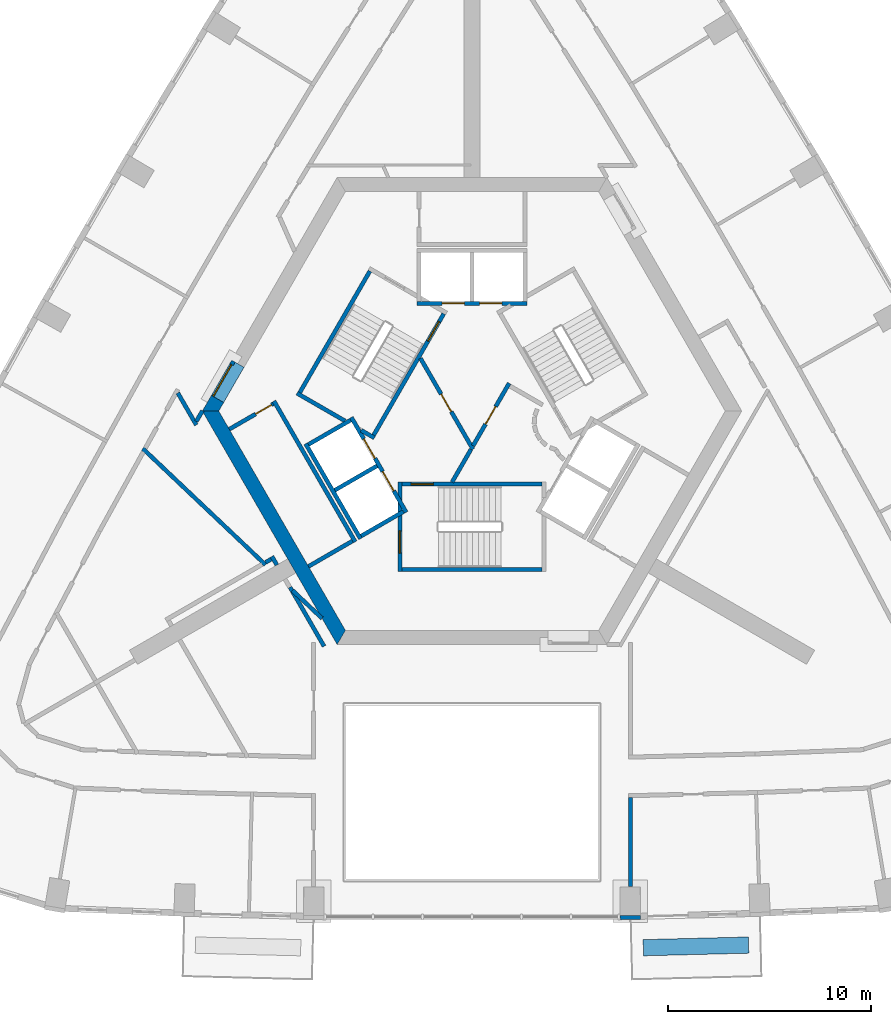
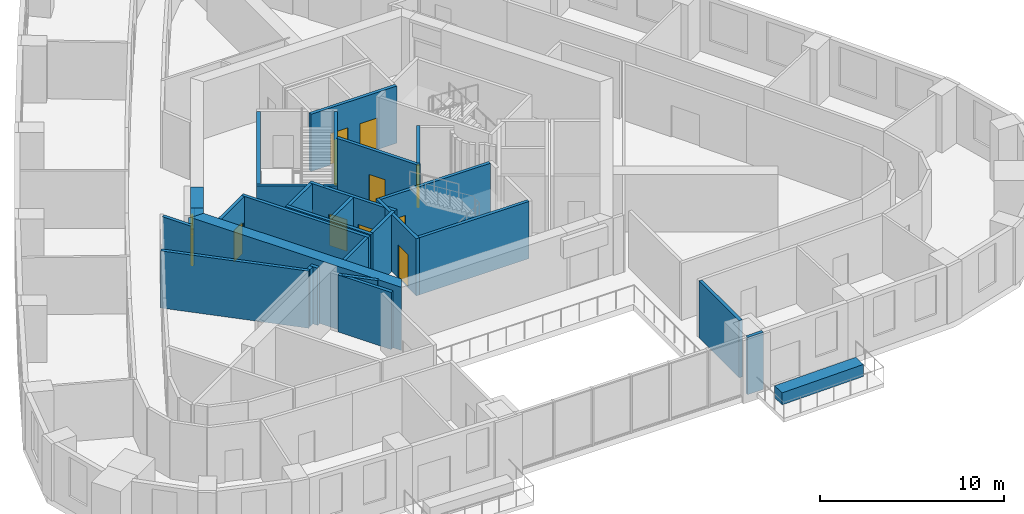
# One storey, part 5 of 11: 33 walls, 11 doors, 11 openings.
"""IFC4 building model written with IfcOpenShell, lengths in metres."""

import ifcopenshell
import ifcopenshell.guid

model = None  # the IFC model being written
_history = None  # IfcOwnerHistory: only IFC2X3 demands one
_inside = {}  # id of a spatial element -> (the spatial element, [elements in it])
_under = {}  # id of a project, library or spatial element -> (it, [spatial elements below it])
_declared = {}  # id of a project -> (the project, [libraries it declares])
_typed = {}  # id of a type object -> (the type object, [elements of that type])
_made_of = {}  # id of a material, layer set ... -> (it, [elements and type objects made of it])


def new_model(schema):
    """Start an empty IFC model of exactly this schema.

    Asked for "IFC4X3", IfcOpenShell would pick the latest addendum, in which some entities
    have other attributes; the version numbers below select the first issue.
    IFC2X3 requires an IfcOwnerHistory on every rooted entity: one is made here for all.
    """
    global model, _history
    if schema == "IFC4X3":
        model = ifcopenshell.file(schema_version=(4, 3, 0, 0))
    else:
        model = ifcopenshell.file(schema=schema)
    _inside.clear()
    _under.clear()
    _declared.clear()
    _typed.clear()
    _made_of.clear()
    _history = None
    if model.schema == "IFC2X3":
        org = make("IfcOrganization", Name="unknown")
        user = make(
            "IfcPersonAndOrganization",
            ThePerson=make("IfcPerson", FamilyName="unknown"),
            TheOrganization=org,
        )
        app = make(
            "IfcApplication",
            ApplicationDeveloper=org,
            Version="unknown",
            ApplicationFullName="unknown",
            ApplicationIdentifier="unknown",
        )
        _history = make(
            "IfcOwnerHistory",
            OwningUser=user,
            OwningApplication=app,
            ChangeAction="ADDED",
            CreationDate=0,
        )
    return model


def make(cls, **values):
    """One entity of the class cls with the attributes given. An attribute that is None is left unset."""
    return model.create_entity(
        cls, **{name: value for name, value in values.items() if value is not None}
    )


def rooted(cls, **values):
    """An entity with a GlobalId (a new one), such as an element, a storey or a relation."""
    return make(cls, GlobalId=ifcopenshell.guid.new(), OwnerHistory=_history, **values)


def si_unit(unit_type, name, prefix=None):
    """IfcSIUnit, for example si_unit("LENGTHUNIT", "METRE", prefix="MILLI")."""
    return make("IfcSIUnit", UnitType=unit_type, Prefix=prefix, Name=name)


def assignment(units):
    """IfcUnitAssignment: the units of a project."""
    return None if units is None else make("IfcUnitAssignment", Units=units)


def point(xyz):
    """IfcCartesianPoint."""
    return None if xyz is None else make("IfcCartesianPoint", Coordinates=xyz)


def direction(xyz):
    """IfcDirection."""
    return None if xyz is None else make("IfcDirection", DirectionRatios=xyz)


def frame(location, z_axis=None, x_axis=None):
    """IfcAxis2Placement3D, a coordinate frame: its origin and axes. An axis left out is left unset."""
    return make(
        "IfcAxis2Placement3D",
        Location=point(location),
        Axis=direction(z_axis),
        RefDirection=direction(x_axis),
    )


def frame_2d(location, x_axis=None):
    """IfcAxis2Placement2D, a coordinate frame in the plane: its origin and x axis."""
    return make(
        "IfcAxis2Placement2D", Location=point(location), RefDirection=direction(x_axis)
    )


def origin():
    """The frame at (0, 0, 0) with its axes left unset."""
    return frame((0.0, 0.0, 0.0))


def place(relative_to, where):
    """IfcLocalPlacement: puts the frame where relative to a parent placement (None: the world)."""
    return make(
        "IfcLocalPlacement", PlacementRelTo=relative_to, RelativePlacement=where
    )


def context(
    kind, dimensions, precision=None, world=None, true_north=None, identifier=None
):
    """IfcGeometricRepresentationContext, for example the 3D "Model" context."""
    return make(
        "IfcGeometricRepresentationContext",
        ContextIdentifier=identifier,
        ContextType=kind,
        CoordinateSpaceDimension=dimensions,
        Precision=precision,
        WorldCoordinateSystem=world,
        TrueNorth=true_north,
    )


def subcontext(parent, identifier, kind, view, scale=None):
    """IfcGeometricRepresentationSubContext, for example "Body" below "Model"."""
    return make(
        "IfcGeometricRepresentationSubContext",
        ContextIdentifier=identifier,
        ContextType=kind,
        ParentContext=parent,
        TargetScale=scale,
        TargetView=view,
    )


def project(units=None, contexts=None):
    """IfcProject with its units and contexts."""
    return rooted(
        "IfcProject",
        Name="project",
        RepresentationContexts=contexts,
        UnitsInContext=assignment(units),
    )


def spatial(cls, under=None, at=None, **own):
    """A site, building, storey or space (cls), placed at a placement, below another one or the project."""
    s = rooted(cls, ObjectPlacement=at, **own)
    if under is not None:
        _under.setdefault(under.id(), (under, []))[1].append(s)
    return s


def polyline(points):
    """IfcPolyline through the points."""
    return make("IfcPolyline", Points=[point(p) for p in points])


def profile(cls, at=None, kind="AREA", **sizes):
    """A parametric profile (cls). Its sizes go by their IFC names, for example OverallWidth=200.0."""
    return make(cls, ProfileType=kind, Position=at, **sizes)


def rectangle(**sizes):
    """IfcRectangleProfileDef."""
    return profile("IfcRectangleProfileDef", **sizes)


def outline(outer, holes=None, kind="AREA"):
    """IfcArbitraryClosedProfileDef: a profile drawn as a closed curve; with holes, ...WithVoids."""
    if holes is None:
        return make("IfcArbitraryClosedProfileDef", ProfileType=kind, OuterCurve=outer)
    return make(
        "IfcArbitraryProfileDefWithVoids",
        ProfileType=kind,
        OuterCurve=outer,
        InnerCurves=holes,
    )


def extrude(swept, where, along, depth):
    """IfcExtrudedAreaSolid: the profile swept, set in the frame where, extruded along a direction by depth."""
    return make(
        "IfcExtrudedAreaSolid",
        SweptArea=swept,
        Position=where,
        ExtrudedDirection=direction(along),
        Depth=depth,
    )


def shape(context_of_items, identifier, shape_type, items):
    """IfcShapeRepresentation: the items that make up one representation, for example the "Body"."""
    return make(
        "IfcShapeRepresentation",
        ContextOfItems=context_of_items,
        RepresentationIdentifier=identifier,
        RepresentationType=shape_type,
        Items=items,
    )


def material(Name=None, Category=None):
    """IfcMaterial."""
    return make("IfcMaterial", Name=Name, Category=Category)


def layer(
    of_material, thickness, ventilated=None, Name=None, Category=None, Priority=None
):
    """IfcMaterialLayer: one layer of a wall or slab, of a material (None: an air gap)."""
    return make(
        "IfcMaterialLayer",
        Material=of_material,
        LayerThickness=thickness,
        IsVentilated=ventilated,
        Name=Name,
        Category=Category,
        Priority=Priority,
    )


def layer_set(layers, Name=None):
    """IfcMaterialLayerSet."""
    return make("IfcMaterialLayerSet", MaterialLayers=layers, LayerSetName=Name)


def made_of(thing, what):
    """Note that an element or type object is made of a material, layer set ...; save() writes the relation."""
    if what is not None:
        _made_of.setdefault(what.id(), (what, []))[1].append(thing)
    return thing


def type_object(cls, material=None, **own):
    """A type object (cls), such as IfcWallType, which elements share."""
    return made_of(rooted(cls, **own), material)


def element(
    cls,
    number,
    at=None,
    inside=None,
    cuts=None,
    type_object=None,
    material=None,
    context=None,
    identifier="Body",
    shape_type=None,
    held_by="IfcProductDefinitionShape",
    body=None,
    shapes=None,
    **own,
):
    """One element of the class cls, such as IfcWall. Its Tag is "e" and its number.

    at: its placement. inside: the storey or other place that contains it. cuts: it is an
    opening in that element (IfcRelVoidsElement). A single representation is given by context,
    identifier, shape_type and body (its items); several are given by shapes. held_by: the class
    of the entity that holds the representations. save() writes the other relations.
    """
    e = rooted(cls, Tag="e%d" % number, ObjectPlacement=at, **own)
    if body is not None:
        shapes = [shape(context, identifier, shape_type, body)]
    if shapes is not None:
        e.Representation = make(held_by, Representations=shapes)
    if inside is not None:
        _inside.setdefault(inside.id(), (inside, []))[1].append(e)
    if cuts is not None:
        rooted(
            "IfcRelVoidsElement", RelatingBuildingElement=cuts, RelatedOpeningElement=e
        )
    if type_object is not None:
        _typed.setdefault(type_object.id(), (type_object, []))[1].append(e)
    return made_of(e, material)


def fill(opening, filler):
    """IfcRelFillsElement: the door or window that sits in an opening."""
    return rooted(
        "IfcRelFillsElement",
        RelatingOpeningElement=opening,
        RelatedBuildingElement=filler,
    )


def aggregate(whole, parts):
    """IfcRelAggregates: a whole, such as a stair, and the parts it consists of."""
    return rooted("IfcRelAggregates", RelatingObject=whole, RelatedObjects=parts)


def save(model, path):
    """Write the relations noted so far, then the file.

    IfcRelAggregates (storeys below a building ...), IfcRelContainedInSpatialStructure (elements
    in a storey), IfcRelDefinesByType, IfcRelAssociatesMaterial and IfcRelDeclares: one each for
    every whole, place, type object, material and project.
    """
    for whole, parts in _under.values():
        aggregate(whole, parts)
    for where, things in _inside.values():
        rooted(
            "IfcRelContainedInSpatialStructure",
            RelatedElements=things,
            RelatingStructure=where,
        )
    for kind, things in _typed.values():
        rooted("IfcRelDefinesByType", RelatedObjects=things, RelatingType=kind)
    for what, things in _made_of.values():
        rooted("IfcRelAssociatesMaterial", RelatedObjects=things, RelatingMaterial=what)
    for by, libraries in _declared.values():
        rooted("IfcRelDeclares", RelatingContext=by, RelatedDefinitions=libraries)
    model.write(path)


model = new_model("IFC4")

# Units and contexts
model_context = context("Model", 3, precision=1e-05, world=origin(), true_north=direction((0.0, 1.0)))
body_context = subcontext(model_context, "Body", "Model", "MODEL_VIEW")
ifc_project = project(units=[si_unit("LENGTHUNIT", "METRE"), si_unit("AREAUNIT", "SQUARE_METRE"), si_unit("VOLUMEUNIT", "CUBIC_METRE"), si_unit("PLANEANGLEUNIT", "RADIAN"), si_unit("MASSUNIT", "GRAM", prefix="KILO")], contexts=[model_context])

# Site, building, storey
site_placement = place(None, origin())
site = spatial("IfcSite", under=ifc_project, at=site_placement, CompositionType="ELEMENT")
building_placement = place(site_placement, origin())
building = spatial("IfcBuilding", under=site, at=building_placement, Name="Entoto Arch Interchange Tower", CompositionType="ELEMENT")
storey_placement = place(building_placement, frame((0.0, 0.0, 206.60009765625)))
storey = spatial("IfcBuildingStorey", under=building, at=storey_placement, Name="L46", CompositionType="ELEMENT", Elevation=206.60009765625)

# Wall, opening, door
ifc_material_1 = material(Name="Reinforced concrete C40/50", Category="concrete")
ifc_layer_1 = layer(ifc_material_1, 0.199951171875)
ifc_layer_set_1 = layer_set([ifc_layer_1], Name="Reinforced concrete C40/50")
wall_type_1 = type_object("IfcWallType", Name="CORE GAP INFILL WALL", PredefinedType="PARTITIONING", material=ifc_layer_set_1)
wall_1_placement = place(storey_placement, frame((-11.7470703125, 4.951904296875, 0.0), z_axis=(0.0, 0.0, 1.0), x_axis=(-0.50002537861, -0.866010750942, 0.0)))
wall_1 = element("IfcWall", 1, at=wall_1_placement, inside=storey, type_object=wall_type_1, Name="wall:L46:gap3", PredefinedType="PARTITIONING", context=body_context, shape_type="SweptSolid", body=[
    extrude(rectangle(XDim=2.0, YDim=0.199951171875, at=frame_2d((1.0, 0.0))), origin(), (0.0, 0.0, 1.0), 2.39990234375),
])
opening_1_placement = place(wall_1_placement, frame((0.18994140625, 0.0, 0.0)))
opening_1 = element("IfcOpeningElement", 2, at=opening_1_placement, cuts=wall_1, Name="Opening L46-D93", PredefinedType="OPENING", context=body_context, shape_type="SweptSolid", body=[
    extrude(rectangle(XDim=1.800048828125, YDim=2.10009765625, at=frame_2d((0.89990234375, 1.050048828125))), frame((0.0, 0.10986328125, 0.0), z_axis=(0.0, -1.0, 0.0), x_axis=(1.0, 0.0, 0.0)), (0.0, 0.0, 1.0), 0.219970703125),
])
ifc_material_2 = material(Name="Fire-rated Steel S235 door and frame", Category="steel")
door_type_1 = type_object("IfcDoorType", Name="DOOR FD-18 1800x2100", OperationType="DOUBLE_DOOR_SINGLE_SWING", PredefinedType="DOOR", material=ifc_material_2)
door_1_placement = place(opening_1_placement, origin())
door_1 = element("IfcDoor", 3, at=door_1_placement, inside=storey, type_object=door_type_1, Name="door:L46:gap3", OperationType="DOUBLE_DOOR_SINGLE_SWING", OverallHeight=2.10009765625, OverallWidth=1.800048828125, PredefinedType="DOOR", context=body_context, shape_type="SweptSolid", body=[
    extrude(rectangle(XDim=1.800048828125, YDim=2.10009765625, at=frame_2d((0.89990234375, 1.050048828125))), frame((0.0, 0.02490234375, 0.0), z_axis=(0.0, -1.0, 0.0), x_axis=(1.0, 0.0, 0.0)), (0.0, 0.0, 1.0), 0.050048828125),
])
fill(opening_1, door_1)

# Walls
ifc_material_3 = material(Name="Concrete C50/60", Category="concrete")
ifc_layer_2 = layer(ifc_material_3, 0.699951171875)
ifc_layer_set_2 = layer_set([ifc_layer_2], Name="Concrete C50/60")
wall_type_2 = type_object("IfcWallType", Name="Core wall 700 C50/60", PredefinedType="SHEAR", material=ifc_layer_set_2)
wall_2_placement = place(storey_placement, frame((0.0, 0.0, -0.400146484375)))
element("IfcWall", 4, at=wall_2_placement, inside=storey, type_object=wall_type_2, Name="Core wall NW L46", PredefinedType="SHEAR", context=body_context, shape_type="SweptSolid", body=[
    extrude(outline(polyline([(-12.22802734375, 2.919921875), (-12.833984375, 3.27001953125), (-13.279052734375, 2.5), (-12.470947265625, 2.5), (-12.22802734375, 2.919921875)])), origin(), (0.0, 0.0, 1.0), 4.199951171875),
])
wall_3_placement = place(storey_placement, frame((0.0, 0.0, 3.599853515625)))
element("IfcWall", 5, at=wall_3_placement, inside=storey, type_object=wall_type_2, Name="Core wall lintel NW L46", PredefinedType="SHEAR", context=body_context, shape_type="SweptSolid", body=[
    extrude(outline(polyline([(-12.833984375, 3.27001953125), (-12.22802734375, 2.919921875), (-11.22802734375, 4.652099609375), (-11.833984375, 5.001953125), (-12.833984375, 3.27001953125)])), origin(), (0.0, 0.0, 1.0), 0.199951171875),
])
wall_4_placement = place(storey_placement, frame((0.0, 0.0, -0.400146484375)))
element("IfcWall", 6, at=wall_4_placement, inside=storey, type_object=wall_type_2, Name="Core wall SW L46", PredefinedType="SHEAR", context=body_context, shape_type="SweptSolid", body=[
    extrude(outline(polyline([(-13.279052734375, 2.5), (-6.639892578125, -9.0), (-6.235107421875, -8.300048828125), (-12.470947265625, 2.5), (-13.279052734375, 2.5)])), origin(), (0.0, 0.0, 1.0), 4.199951171875),
])

# Wall, openings, doors
ifc_material_4 = material(Name="Concrete C40/50", Category="concrete")
ifc_layer_3 = layer(ifc_material_4, 0.199951171875)
ifc_layer_set_3 = layer_set([ifc_layer_3], Name="Concrete C40/50")
wall_type_3 = type_object("IfcWallType", Name="LIFT SHAFT WALL 200", PredefinedType="STANDARD", material=ifc_layer_set_3)
wall_5_placement = place(storey_placement, frame((2.699951171875, 7.800048828125, 0.0), z_axis=(0.0, 0.0, 1.0), x_axis=(-1.0, 0.0, 0.0)))
wall_5 = element("IfcWall", 7, at=wall_5_placement, inside=storey, type_object=wall_type_3, Name="Shaft wall N1 front", PredefinedType="STANDARD", context=body_context, shape_type="SweptSolid", body=[
    extrude(rectangle(XDim=5.39990234375, YDim=0.199951171875, at=frame_2d((2.699951171875, 0.0))), origin(), (0.0, 0.0, 1.0), 3.7998046875),
])
opening_2_placement = place(wall_5_placement, frame((1.22509765625, 0.0, 0.0)))
opening_2 = element("IfcOpeningElement", 8, at=opening_2_placement, cuts=wall_5, Name="Opening LD-HR1-L46", PredefinedType="OPENING", context=body_context, shape_type="SweptSolid", body=[
    extrude(rectangle(XDim=1.10009765625, YDim=2.10009765625, at=frame_2d((0.550048828125, 1.050048828125))), frame((0.0, 0.10986328125, 0.0), z_axis=(0.0, -1.0, 0.0), x_axis=(1.0, 0.0, 0.0)), (0.0, 0.0, 1.0), 0.219970703125),
])
opening_3_placement = place(wall_5_placement, frame((3.074951171875, 0.0, 0.0)))
opening_3 = element("IfcOpeningElement", 9, at=opening_3_placement, cuts=wall_5, Name="Opening LD-HR2-L46", PredefinedType="OPENING", context=body_context, shape_type="SweptSolid", body=[
    extrude(rectangle(XDim=1.10009765625, YDim=2.10009765625, at=frame_2d((0.550048828125, 1.050048828125))), frame((0.0, 0.10986328125, 0.0), z_axis=(0.0, -1.0, 0.0), x_axis=(1.0, 0.0, 0.0)), (0.0, 0.0, 1.0), 0.219970703125),
])
ifc_material_5 = material(Name="Stainless steel 1.4301 panels", Category="steel")
door_type_2 = type_object("IfcDoorType", Name="LIFT LANDING DOOR LD1 1100x2100", OperationType="SLIDING_TO_LEFT", PredefinedType="DOOR", material=ifc_material_5)
door_2_placement = place(opening_2_placement, origin())
door_2 = element("IfcDoor", 10, at=door_2_placement, inside=storey, type_object=door_type_2, Name="Lift landing door HR1 L46", OperationType="SLIDING_TO_LEFT", OverallHeight=2.10009765625, OverallWidth=1.10009765625, PredefinedType="DOOR", context=body_context, shape_type="SweptSolid", body=[
    extrude(rectangle(XDim=1.10009765625, YDim=2.10009765625, at=frame_2d((0.550048828125, 1.050048828125))), frame((0.0, 0.02490234375, 0.0), z_axis=(0.0, -1.0, 0.0), x_axis=(1.0, 0.0, 0.0)), (0.0, 0.0, 1.0), 0.050048828125),
])
fill(opening_2, door_2)
door_3_placement = place(opening_3_placement, origin())
door_3 = element("IfcDoor", 11, at=door_3_placement, inside=storey, type_object=door_type_2, Name="Lift landing door HR2 L46", OperationType="SLIDING_TO_LEFT", OverallHeight=2.10009765625, OverallWidth=1.10009765625, PredefinedType="DOOR", context=body_context, shape_type="SweptSolid", body=[
    extrude(rectangle(XDim=1.10009765625, YDim=2.10009765625, at=frame_2d((0.550048828125, 1.050048828125))), frame((0.0, 0.02490234375, 0.0), z_axis=(0.0, -1.0, 0.0), x_axis=(1.0, 0.0, 0.0)), (0.0, 0.0, 1.0), 0.050048828125),
])
fill(opening_3, door_3)

wall_6_placement = place(storey_placement, frame((-5.93994140625, 2.18798828125, 0.0), z_axis=(0.0, 0.0, 1.0), x_axis=(0.500034260056, -0.866005622828, 0.0)))
wall_6 = element("IfcWall", 12, at=wall_6_placement, inside=storey, type_object=wall_type_3, Name="Shaft wall SW1 front", PredefinedType="STANDARD", context=body_context, shape_type="SweptSolid", body=[
    extrude(rectangle(XDim=5.3994140625, YDim=0.199951171875, at=frame_2d((2.69970703125, 0.0))), origin(), (0.0, 0.0, 1.0), 3.7998046875),
])
opening_4_placement = place(wall_6_placement, frame((3.074951171875, 0.0, 0.0)))
opening_4 = element("IfcOpeningElement", 13, at=opening_4_placement, cuts=wall_6, Name="Opening LD-HR4-L46", PredefinedType="OPENING", context=body_context, shape_type="SweptSolid", body=[
    extrude(rectangle(XDim=1.10009765625, YDim=2.10009765625, at=frame_2d((0.550048828125, 1.050048828125))), frame((0.0, 0.10986328125, 0.0), z_axis=(0.0, -1.0, 0.0), x_axis=(1.0, 0.0, 0.0)), (0.0, 0.0, 1.0), 0.219970703125),
])
opening_5_placement = place(wall_6_placement, frame((1.22509765625, 0.0, 0.0)))
opening_5 = element("IfcOpeningElement", 14, at=opening_5_placement, cuts=wall_6, Name="Opening LD-FF2-L46", PredefinedType="OPENING", context=body_context, shape_type="SweptSolid", body=[
    extrude(rectangle(XDim=1.10009765625, YDim=2.10009765625, at=frame_2d((0.550048828125, 1.050048828125))), frame((0.0, 0.10986328125, 0.0), z_axis=(0.0, -1.0, 0.0), x_axis=(1.0, 0.0, 0.0)), (0.0, 0.0, 1.0), 0.219970703125),
])
door_4_placement = place(opening_4_placement, origin())
door_4 = element("IfcDoor", 15, at=door_4_placement, inside=storey, type_object=door_type_2, Name="Lift landing door HR4 L46", OperationType="SLIDING_TO_LEFT", OverallHeight=2.10009765625, OverallWidth=1.10009765625, PredefinedType="DOOR", context=body_context, shape_type="SweptSolid", body=[
    extrude(rectangle(XDim=1.10009765625, YDim=2.10009765625, at=frame_2d((0.550048828125, 1.050048828125))), frame((0.0, 0.02490234375, 0.0), z_axis=(0.0, -1.0, 0.0), x_axis=(1.0, 0.0, 0.0)), (0.0, 0.0, 1.0), 0.050048828125),
])
fill(opening_4, door_4)
door_5_placement = place(opening_5_placement, origin())
door_5 = element("IfcDoor", 16, at=door_5_placement, inside=storey, type_object=door_type_2, Name="Lift landing door FF2 L46", OperationType="SLIDING_TO_LEFT", OverallHeight=2.10009765625, OverallWidth=1.10009765625, PredefinedType="DOOR", context=body_context, shape_type="SweptSolid", body=[
    extrude(rectangle(XDim=1.10009765625, YDim=2.10009765625, at=frame_2d((0.550048828125, 1.050048828125))), frame((0.0, 0.02490234375, 0.0), z_axis=(0.0, -1.0, 0.0), x_axis=(1.0, 0.0, 0.0)), (0.0, 0.0, 1.0), 0.050048828125),
])
fill(opening_5, door_5)

# Walls
wall_7_placement = place(storey_placement, frame((-8.19189453125, 0.887939453125, 0.0), z_axis=(0.0, 0.0, 1.0), x_axis=(0.500034260056, -0.866005622828, 0.0)))
element("IfcWall", 17, at=wall_7_placement, inside=storey, type_object=wall_type_3, Name="Shaft wall SW1 back", PredefinedType="STANDARD", context=body_context, shape_type="SweptSolid", body=[
    extrude(rectangle(XDim=5.3994140625, YDim=0.199951171875, at=frame_2d((2.69970703125, 0.0))), origin(), (0.0, 0.0, 1.0), 3.7998046875),
])
for number, where, z_axis, x_axis, name in (
    (18, (-5.97705078125, 2.052001953125, 0.0), (0.0, 0.0, 1.0), (-0.865973769406, -0.500089422704, 0.0), "Shaft wall SW1 cross 1"),
    (19, (-4.677001953125, -0.199951171875, 0.0), (0.0, 0.0, 1.0), (-0.865973769406, -0.500089422704, 0.0), "Shaft wall SW1 cross 2"),
):
    element("IfcWall", number, at=place(storey_placement, frame(where, z_axis=z_axis, x_axis=x_axis)), inside=storey, type_object=wall_type_3, Name=name, PredefinedType="STANDARD", context=body_context, shape_type="SweptSolid", body=[
        extrude(rectangle(XDim=2.3994140625, YDim=0.199951171875, at=frame_2d((1.19970703125, 0.0))), origin(), (0.0, 0.0, 1.0), 3.7998046875),
    ])
wall_8_placement = place(storey_placement, frame((-3.376953125, -2.451904296875, 0.0), z_axis=(0.0, 0.0, 1.0), x_axis=(-0.865955154139, -0.50012165622, 0.0)))
element("IfcWall", 20, at=wall_8_placement, inside=storey, type_object=wall_type_3, Name="Shaft wall SW1 cross 3", PredefinedType="STANDARD", context=body_context, shape_type="SweptSolid", body=[
    extrude(rectangle(XDim=2.39990234375, YDim=0.199951171875, at=frame_2d((1.199951171875, 0.0))), origin(), (0.0, 0.0, 1.0), 3.7998046875),
])
ifc_material_6 = material(Name="Gypsum board partition on steel studs", Category="steel")
ifc_layer_4 = layer(ifc_material_6, 0.199951171875)
ifc_layer_set_4 = layer_set([ifc_layer_4], Name="Gypsum board partition on steel studs")
wall_type_4 = type_object("IfcWallType", Name="PARTITION 200", PredefinedType="PARTITIONING", material=ifc_layer_set_4)
wall_9_placement = place(storey_placement, frame((-13.27294921875, 2.513916015625, 0.0), z_axis=(0.0, 0.0, 1.0), x_axis=(-0.50111559984, -0.865380353138, 0.0)))
element("IfcWall", 21, at=wall_9_placement, inside=storey, type_object=wall_type_4, Name="wall:L46:p023", PredefinedType="PARTITIONING", context=body_context, shape_type="SweptSolid", body=[
    extrude(rectangle(XDim=0.6064453125, YDim=0.199951171875, at=frame_2d((0.30322265625, 0.0))), origin(), (0.0, 0.0, 1.0), 3.7998046875),
])
wall_10_placement = place(storey_placement, frame((-13.576904296875, 1.81494140625, 0.0), z_axis=(0.0, 0.0, 1.0), x_axis=(-0.499951005625, 0.866053688852, 0.0)))
element("IfcWall", 22, at=wall_10_placement, inside=storey, type_object=wall_type_4, Name="wall:L46:p024", PredefinedType="PARTITIONING", context=body_context, shape_type="SweptSolid", body=[
    extrude(rectangle(XDim=1.818603515625, YDim=0.199951171875, at=frame_2d((0.9091796875, 0.0))), origin(), (0.0, 0.0, 1.0), 3.7998046875),
])
wall_11_placement = place(storey_placement, frame((-5.887939453125, -3.902099609375, 0.0), z_axis=(0.0, 0.0, 1.0), x_axis=(-0.866022959057, -0.500004234368, 0.0)))
element("IfcWall", 23, at=wall_11_placement, inside=storey, type_object=wall_type_4, Name="wall:L46:p072", PredefinedType="PARTITIONING", context=body_context, shape_type="SweptSolid", body=[
    extrude(rectangle(XDim=2.5, YDim=0.199951171875, at=frame_2d((1.25, 0.0))), origin(), (0.0, 0.0, 1.0), 3.7998046875),
])

# Wall, opening, door
wall_12_placement = place(storey_placement, frame((-11.952880859375, 1.60302734375, 0.0), z_axis=(0.0, 0.0, 1.0), x_axis=(0.865998541277, 0.500046524342, 0.0)))
wall_12 = element("IfcWall", 24, at=wall_12_placement, inside=storey, type_object=wall_type_4, Name="wall:L46:p073", PredefinedType="PARTITIONING", context=body_context, shape_type="SweptSolid", body=[
    extrude(rectangle(XDim=2.499755859375, YDim=0.199951171875, at=frame_2d((1.25, 0.0))), origin(), (0.0, 0.0, 1.0), 3.7998046875),
])
opening_6_placement = place(wall_12_placement, frame((1.5, 0.0, 0.0)))
opening_6 = element("IfcOpeningElement", 25, at=opening_6_placement, cuts=wall_12, Name="Opening L46-D31", PredefinedType="OPENING", context=body_context, shape_type="SweptSolid", body=[
    extrude(rectangle(XDim=0.89990234375, YDim=2.10009765625, at=frame_2d((0.449951171875, 1.050048828125))), frame((0.0, 0.10986328125, 0.0), z_axis=(0.0, -1.0, 0.0), x_axis=(1.0, 0.0, 0.0)), (0.0, 0.0, 1.0), 0.219970703125),
])
ifc_material_7 = material(Name="Timber door leaf in Steel S235 frame", Category="steel")
door_type_3 = type_object("IfcDoorType", Name="DOOR DS-09 900x2100", OperationType="SINGLE_SWING_LEFT", PredefinedType="DOOR", material=ifc_material_7)
door_6_placement = place(opening_6_placement, origin())
door_6 = element("IfcDoor", 26, at=door_6_placement, inside=storey, type_object=door_type_3, Name="door:L46:31", OperationType="SINGLE_SWING_LEFT", OverallHeight=2.10009765625, OverallWidth=0.89990234375, PredefinedType="DOOR", context=body_context, shape_type="SweptSolid", body=[
    extrude(rectangle(XDim=0.89990234375, YDim=2.10009765625, at=frame_2d((0.449951171875, 1.050048828125))), frame((0.0, 0.02490234375, 0.0), z_axis=(0.0, -1.0, 0.0), x_axis=(1.0, 0.0, 0.0)), (0.0, 0.0, 1.0), 0.050048828125),
])
fill(opening_6, door_6)

# Walls
wall_13_placement = place(storey_placement, frame((-9.7509765625, 2.989990234375, 0.0), z_axis=(0.0, 0.0, 1.0), x_axis=(0.500012163284, -0.866018381195, 0.0)))
element("IfcWall", 27, at=wall_13_placement, inside=storey, type_object=wall_type_4, Name="wall:L46:p074", PredefinedType="PARTITIONING", context=body_context, shape_type="SweptSolid", body=[
    extrude(rectangle(XDim=7.999755859375, YDim=0.199951171875, at=frame_2d((4.0, 0.0))), origin(), (0.0, 0.0, 1.0), 3.7998046875),
])
wall_14_placement = place(storey_placement, frame((-0.98193359375, -1.0, 0.0), z_axis=(0.0, 0.0, 1.0), x_axis=(0.50024047865, 0.865886518847, 0.0)))
element("IfcWall", 28, at=wall_14_placement, inside=storey, type_object=wall_type_4, Name="wall:L46:p079", PredefinedType="PARTITIONING", context=body_context, shape_type="SweptSolid", body=[
    extrude(rectangle(XDim=1.86279296875, YDim=0.199951171875, at=frame_2d((0.931396484375, 0.0))), origin(), (0.0, 0.0, 1.0), 3.7998046875),
])

# Wall, opening, door
wall_15_placement = place(storey_placement, frame((0.050048828125, 0.787109375, 0.0), z_axis=(0.0, 0.0, 1.0), x_axis=(0.499954076797, 0.866051915934, 0.0)))
wall_15 = element("IfcWall", 29, at=wall_15_placement, inside=storey, type_object=wall_type_4, Name="wall:L46:p080", PredefinedType="PARTITIONING", context=body_context, shape_type="SweptSolid", body=[
    extrude(rectangle(XDim=3.558349609375, YDim=0.199951171875, at=frame_2d((1.779296875, 0.0))), origin(), (0.0, 0.0, 1.0), 3.7998046875),
])
opening_7_placement = place(wall_15_placement, frame((1.22900390625, 0.0, 0.0)))
opening_7 = element("IfcOpeningElement", 30, at=opening_7_placement, cuts=wall_15, Name="Opening L46-D27", PredefinedType="OPENING", context=body_context, shape_type="SweptSolid", body=[
    extrude(rectangle(XDim=1.0, YDim=2.10009765625, at=frame_2d((0.5, 1.050048828125))), frame((0.0, 0.10986328125, 0.0), z_axis=(0.0, -1.0, 0.0), x_axis=(1.0, 0.0, 0.0)), (0.0, 0.0, 1.0), 0.219970703125),
])
door_type_4 = type_object("IfcDoorType", Name="DOOR FD-10 1000x2100", OperationType="SINGLE_SWING_LEFT", PredefinedType="DOOR", material=ifc_material_2)
door_7_placement = place(opening_7_placement, origin())
door_7 = element("IfcDoor", 31, at=door_7_placement, inside=storey, type_object=door_type_4, Name="door:L46:27", OperationType="SINGLE_SWING_RIGHT", OverallHeight=2.10009765625, OverallWidth=1.0, PredefinedType="DOOR", context=body_context, shape_type="SweptSolid", body=[
    extrude(rectangle(XDim=1.0, YDim=2.10009765625, at=frame_2d((0.5, 1.050048828125))), frame((0.0, 0.02490234375, 0.0), z_axis=(0.0, -1.0, 0.0), x_axis=(1.0, 0.0, 0.0)), (0.0, 0.0, 1.0), 0.050048828125),
])
fill(opening_7, door_7)

wall_16_placement = place(storey_placement, frame((-2.5400390625, 5.10009765625, 0.0), z_axis=(0.0, 0.0, 1.0), x_axis=(0.499925051871, -0.866068670783, 0.0)))
wall_16 = element("IfcWall", 32, at=wall_16_placement, inside=storey, type_object=wall_type_4, Name="wall:L46:p090", PredefinedType="PARTITIONING", context=body_context, shape_type="SweptSolid", body=[
    extrude(rectangle(XDim=5.180908203125, YDim=0.199951171875, at=frame_2d((2.59033203125, 0.0))), origin(), (0.0, 0.0, 1.0), 3.7998046875),
])
opening_8_placement = place(wall_16_placement, frame((2.0400390625, 0.0, 0.0)))
opening_8 = element("IfcOpeningElement", 33, at=opening_8_placement, cuts=wall_16, Name="Opening L46-D28", PredefinedType="OPENING", context=body_context, shape_type="SweptSolid", body=[
    extrude(rectangle(XDim=1.0, YDim=2.10009765625, at=frame_2d((0.5, 1.050048828125))), frame((0.0, 0.10986328125, 0.0), z_axis=(0.0, -1.0, 0.0), x_axis=(1.0, 0.0, 0.0)), (0.0, 0.0, 1.0), 0.219970703125),
])
door_8_placement = place(opening_8_placement, origin())
door_8 = element("IfcDoor", 34, at=door_8_placement, inside=storey, type_object=door_type_4, Name="door:L46:28", OperationType="SINGLE_SWING_RIGHT", OverallHeight=2.10009765625, OverallWidth=1.0, PredefinedType="DOOR", context=body_context, shape_type="SweptSolid", body=[
    extrude(rectangle(XDim=1.0, YDim=2.10009765625, at=frame_2d((0.5, 1.050048828125))), frame((0.0, 0.02490234375, 0.0), z_axis=(0.0, -1.0, 0.0), x_axis=(1.0, 0.0, 0.0)), (0.0, 0.0, 1.0), 0.050048828125),
])
fill(opening_8, door_8)

# Walls
wall_17_placement = place(storey_placement, frame((-8.840087890625, -6.33203125, 0.0), z_axis=(0.0, 0.0, 1.0), x_axis=(0.726080635734, -0.687609562479, 0.0)))
element("IfcWall", 35, at=wall_17_placement, inside=storey, type_object=wall_type_4, Name="wall:L46:p092", PredefinedType="PARTITIONING", context=body_context, shape_type="SweptSolid", body=[
    extrude(rectangle(XDim=2.00537109375, YDim=0.199951171875, at=frame_2d((1.002685546875, 0.0))), origin(), (0.0, 0.0, 1.0), 3.7998046875),
])
wall_18_placement = place(storey_placement, frame((-7.282958984375, -9.0859375, 0.0), z_axis=(0.0, 0.0, 1.0), x_axis=(-0.499883958536, 0.86609238999, 0.0)))
element("IfcWall", 36, at=wall_18_placement, inside=storey, type_object=wall_type_4, Name="wall:L46:p094", PredefinedType="PARTITIONING", context=body_context, shape_type="SweptSolid", body=[
    extrude(rectangle(XDim=3.358642578125, YDim=0.199951171875, at=frame_2d((1.67919921875, 0.0))), origin(), (0.0, 0.0, 1.0), 3.7998046875),
])
wall_19_placement = place(storey_placement, frame((7.800048828125, -16.5419921875, 0.0), z_axis=(0.0, 0.0, 1.0), x_axis=(0.0, -1.0, 0.0)))
element("IfcWall", 37, at=wall_19_placement, inside=storey, type_object=wall_type_4, Name="wall:L46:p095", PredefinedType="PARTITIONING", context=body_context, shape_type="SweptSolid", body=[
    extrude(rectangle(XDim=4.382080078125, YDim=0.199951171875, at=frame_2d((2.19091796875, 0.0))), origin(), (0.0, 0.0, 1.0), 3.7998046875),
])
wall_20_placement = place(storey_placement, frame((-9.889892578125, -4.794921875, 0.0), z_axis=(0.0, 0.0, 1.0), x_axis=(-0.866447259568, -0.499268611457, 0.0)))
element("IfcWall", 38, at=wall_20_placement, inside=storey, type_object=wall_type_4, Name="wall:L46:p100", PredefinedType="PARTITIONING", context=body_context, shape_type="SweptSolid", body=[
    extrude(rectangle(XDim=0.310546875, YDim=0.199951171875, at=frame_2d((0.1552734375, 0.0))), origin(), (0.0, 0.0, 1.0), 3.7998046875),
])
wall_21_placement = place(storey_placement, frame((-10.173095703125, -5.069091796875, 0.0), z_axis=(0.0, 0.0, 1.0), x_axis=(-0.725908697087, 0.687791075468, 0.0)))
element("IfcWall", 39, at=wall_21_placement, inside=storey, type_object=wall_type_4, Name="wall:L46:p101", PredefinedType="PARTITIONING", context=body_context, shape_type="SweptSolid", body=[
    extrude(rectangle(XDim=8.3134765625, YDim=0.199951171875, at=frame_2d((4.15673828125, 0.0))), origin(), (0.0, 0.0, 1.0), 3.7998046875),
])
wall_22_placement = place(storey_placement, frame((-9.60693359375, -5.083984375, 0.0), z_axis=(0.0, 0.0, 1.0), x_axis=(-0.500194922027, 0.865912836248, 0.0)))
element("IfcWall", 40, at=wall_22_placement, inside=storey, type_object=wall_type_4, Name="wall:L46:p099", PredefinedType="PARTITIONING", context=body_context, shape_type="SweptSolid", body=[
    extrude(rectangle(XDim=0.491943359375, YDim=0.199951171875, at=frame_2d((0.24609375, 0.0))), origin(), (0.0, 0.0, 1.0), 3.7998046875),
])
ifc_material_8 = material(Name="Board-marked precast concrete C50/60", Category="concrete")
ifc_layer_5 = layer(ifc_material_8, 0.800048828125)
ifc_layer_set_5 = layer_set([ifc_layer_5], Name="Board-marked precast concrete C50/60")
wall_type_5 = type_object("IfcWallType", Name="PLANTER RC 800 Hagenia abyssinica", PredefinedType="STANDARD", material=ifc_layer_set_5)
wall_23_placement = place(storey_placement, frame((8.43505859375, -23.927978515625, 0.0), z_axis=(0.0, 0.0, 1.0), x_axis=(0.999686410355, 0.025041584439, 0.0)))
element("IfcWall", 41, at=wall_23_placement, inside=storey, type_object=wall_type_5, Name="Planter S-04 L46", PredefinedType="STANDARD", context=body_context, shape_type="SweptSolid", body=[
    extrude(rectangle(XDim=5.186767578125, YDim=0.800048828125, at=frame_2d((2.59326171875, 0.0))), origin(), (0.0, 0.0, 1.0), 0.7998046875),
])

# Wall, opening, door
ifc_layer_6 = layer(ifc_material_4, 0.199951171875)
ifc_layer_set_6 = layer_set([ifc_layer_6], Name="Concrete C40/50")
wall_type_6 = type_object("IfcWallType", Name="STAIR ENCLOSURE WALL 200", PredefinedType="STANDARD", material=ifc_layer_set_6)
wall_24_placement = place(storey_placement, frame((-3.550048828125, -1.0, 0.0), z_axis=(0.0, 0.0, 1.0), x_axis=(0.0, -1.0, 0.0)))
wall_24 = element("IfcWall", 42, at=wall_24_placement, inside=storey, type_object=wall_type_6, Name="Stair wall ST-S near", PredefinedType="STANDARD", context=body_context, shape_type="SweptSolid", body=[
    extrude(rectangle(XDim=4.39990234375, YDim=0.199951171875, at=frame_2d((2.199951171875, 0.0))), origin(), (0.0, 0.0, 1.0), 3.7998046875),
])
opening_9_placement = place(wall_24_placement, frame((2.39990234375, 0.0, 0.0)))
opening_9 = element("IfcOpeningElement", 43, at=opening_9_placement, cuts=wall_24, Name="Opening SD-ST-S-L46-E", PredefinedType="OPENING", context=body_context, shape_type="SweptSolid", body=[
    extrude(rectangle(XDim=1.10009765625, YDim=2.199951171875, at=frame_2d((0.550048828125, 1.10009765625))), frame((0.0, 0.10986328125, 0.0), z_axis=(0.0, -1.0, 0.0), x_axis=(1.0, 0.0, 0.0)), (0.0, 0.0, 1.0), 0.219970703125),
])
ifc_material_9 = material(Name="Steel S235", Category="steel")
door_type_5 = type_object("IfcDoorType", Name="STAIR DOOR SD1 1100x2200", OperationType="SINGLE_SWING_LEFT", PredefinedType="DOOR", material=ifc_material_9)
door_9_placement = place(opening_9_placement, origin())
door_9 = element("IfcDoor", 44, at=door_9_placement, inside=storey, type_object=door_type_5, Name="Stair door ST-S L46 end", OperationType="SINGLE_SWING_LEFT", OverallHeight=2.199951171875, OverallWidth=1.10009765625, PredefinedType="DOOR", context=body_context, shape_type="SweptSolid", body=[
    extrude(rectangle(XDim=1.10009765625, YDim=2.199951171875, at=frame_2d((0.550048828125, 1.10009765625))), frame((0.0, 0.02490234375, 0.0), z_axis=(0.0, -1.0, 0.0), x_axis=(1.0, 0.0, 0.0)), (0.0, 0.0, 1.0), 0.050048828125),
])
fill(opening_9, door_9)

wall_25_placement = place(storey_placement, frame((-3.449951171875, -1.10009765625, 0.0), z_axis=(0.0, 0.0, 1.0), x_axis=(1.0, 0.0, 0.0)))
wall_25 = element("IfcWall", 45, at=wall_25_placement, inside=storey, type_object=wall_type_6, Name="Stair wall ST-S hall", PredefinedType="STANDARD", context=body_context, shape_type="SweptSolid", body=[
    extrude(rectangle(XDim=6.89990234375, YDim=0.199951171875, at=frame_2d((3.449951171875, 0.0))), origin(), (0.0, 0.0, 1.0), 3.7998046875),
])
opening_10_placement = place(wall_25_placement, frame((0.449951171875, 0.0, 0.0)))
opening_10 = element("IfcOpeningElement", 46, at=opening_10_placement, cuts=wall_25, Name="Opening SD-ST-S-L46", PredefinedType="OPENING", context=body_context, shape_type="SweptSolid", body=[
    extrude(rectangle(XDim=1.10009765625, YDim=2.199951171875, at=frame_2d((0.550048828125, 1.10009765625))), frame((0.0, 0.10986328125, 0.0), z_axis=(0.0, -1.0, 0.0), x_axis=(1.0, 0.0, 0.0)), (0.0, 0.0, 1.0), 0.219970703125),
])
door_10_placement = place(opening_10_placement, origin())
door_10 = element("IfcDoor", 47, at=door_10_placement, inside=storey, type_object=door_type_5, Name="Stair door ST-S L46", OperationType="SINGLE_SWING_LEFT", OverallHeight=2.199951171875, OverallWidth=1.10009765625, PredefinedType="DOOR", context=body_context, shape_type="SweptSolid", body=[
    extrude(rectangle(XDim=1.10009765625, YDim=2.199951171875, at=frame_2d((0.550048828125, 1.10009765625))), frame((0.0, 0.02490234375, 0.0), z_axis=(0.0, -1.0, 0.0), x_axis=(1.0, 0.0, 0.0)), (0.0, 0.0, 1.0), 0.050048828125),
])
fill(opening_10, door_10)

# Walls
wall_26_placement = place(storey_placement, frame((-3.449951171875, -5.300048828125, 0.0), z_axis=(0.0, 0.0, 1.0), x_axis=(1.0, 0.0, 0.0)))
element("IfcWall", 48, at=wall_26_placement, inside=storey, type_object=wall_type_6, Name="Stair wall ST-S back", PredefinedType="STANDARD", context=body_context, shape_type="SweptSolid", body=[
    extrude(rectangle(XDim=6.89990234375, YDim=0.199951171875, at=frame_2d((3.449951171875, 0.0))), origin(), (0.0, 0.0, 1.0), 3.7998046875),
])
wall_27_placement = place(storey_placement, frame((-6.25, 2.010009765625, 0.0), z_axis=(0.0, 0.0, 1.0), x_axis=(-0.86611865017, 0.499838457731, 0.0)))
element("IfcWall", 49, at=wall_27_placement, inside=storey, type_object=wall_type_6, Name="Stair wall ST-NW far", PredefinedType="STANDARD", context=body_context, shape_type="SweptSolid", body=[
    extrude(rectangle(XDim=2.73291015625, YDim=0.199951171875, at=frame_2d((1.366455078125, 0.0))), origin(), (0.0, 0.0, 1.0), 3.7998046875),
])
wall_28_placement = place(storey_placement, frame((-4.805908203125, 1.176025390625, 0.0), z_axis=(0.0, 0.0, 1.0), x_axis=(-0.866558586415, 0.499075361355, 0.0)))
element("IfcWall", 50, at=wall_28_placement, inside=storey, type_object=wall_type_6, Name="Stair wall ST-NW far return", PredefinedType="STANDARD", context=body_context, shape_type="SweptSolid", body=[
    extrude(rectangle(XDim=0.75146484375, YDim=0.199951171875, at=frame_2d((0.375732421875, 0.0))), origin(), (0.0, 0.0, 1.0), 3.7998046875),
])

# Wall, opening, door
wall_29_placement = place(storey_placement, frame((-1.39306640625, 7.2880859375, 0.0), z_axis=(0.0, 0.0, 1.0), x_axis=(-0.499963383562, -0.866046543262, 0.0)))
wall_29 = element("IfcWall", 51, at=wall_29_placement, inside=storey, type_object=wall_type_6, Name="Stair wall ST-NW hall", PredefinedType="STANDARD", context=body_context, shape_type="SweptSolid", body=[
    extrude(rectangle(XDim=6.900390625, YDim=0.199951171875, at=frame_2d((3.4501953125, 0.0))), origin(), (0.0, 0.0, 1.0), 3.7998046875),
])
opening_11_placement = place(wall_29_placement, frame((0.449951171875, 0.0, 0.0)))
opening_11 = element("IfcOpeningElement", 52, at=opening_11_placement, cuts=wall_29, Name="Opening SD-ST-NW-L46", PredefinedType="OPENING", context=body_context, shape_type="SweptSolid", body=[
    extrude(rectangle(XDim=1.10009765625, YDim=2.199951171875, at=frame_2d((0.550048828125, 1.10009765625))), frame((0.0, 0.10986328125, 0.0), z_axis=(0.0, -1.0, 0.0), x_axis=(1.0, 0.0, 0.0)), (0.0, 0.0, 1.0), 0.219970703125),
])
door_11_placement = place(opening_11_placement, origin())
door_11 = element("IfcDoor", 53, at=door_11_placement, inside=storey, type_object=door_type_5, Name="Stair door ST-NW L46", OperationType="SINGLE_SWING_LEFT", OverallHeight=2.199951171875, OverallWidth=1.10009765625, PredefinedType="DOOR", context=body_context, shape_type="SweptSolid", body=[
    extrude(rectangle(XDim=1.10009765625, YDim=2.199951171875, at=frame_2d((0.550048828125, 1.10009765625))), frame((0.0, 0.02490234375, 0.0), z_axis=(0.0, -1.0, 0.0), x_axis=(1.0, 0.0, 0.0)), (0.0, 0.0, 1.0), 0.050048828125),
])
fill(opening_11, door_11)

# Walls
wall_30_placement = place(storey_placement, frame((-5.030029296875, 9.387939453125, 0.0), z_axis=(0.0, 0.0, 1.0), x_axis=(-0.499978703459, -0.866037698999, 0.0)))
element("IfcWall", 54, at=wall_30_placement, inside=storey, type_object=wall_type_6, Name="Stair wall ST-NW back", PredefinedType="STANDARD", context=body_context, shape_type="SweptSolid", body=[
    extrude(rectangle(XDim=6.900146484375, YDim=0.199951171875, at=frame_2d((3.4501953125, 0.0))), origin(), (0.0, 0.0, 1.0), 3.7998046875),
])
ifc_material_10 = material(Name="Welded tuff (ignimbrite) cladding, warm buff", Category="masonry")
ifc_layer_7 = layer(ifc_material_10, 0.199951171875)
ifc_layer_set_7 = layer_set([ifc_layer_7], Name="Welded tuff (ignimbrite) cladding, warm buff")
wall_type_7 = type_object("IfcWallType", Name="STONE PIER CLADDING 200", PredefinedType="STANDARD", material=ifc_layer_set_7)
wall_31_placement = place(storey_placement, frame((7.299072265625, -22.450927734375, 0.0), z_axis=(0.0, 0.0, 1.0), x_axis=(0.999903186316, 0.013914668364, 0.0)))
element("IfcWall", 55, at=wall_31_placement, inside=storey, type_object=wall_type_7, Name="Stone pier S04 L46", PredefinedType="STANDARD", context=body_context, shape_type="SweptSolid", body=[
    extrude(rectangle(XDim=1.0, YDim=0.199951171875, at=frame_2d((0.5, 0.0))), origin(), (0.0, 0.0, 1.0), 3.7998046875),
])

save(model, "model.ifc")
